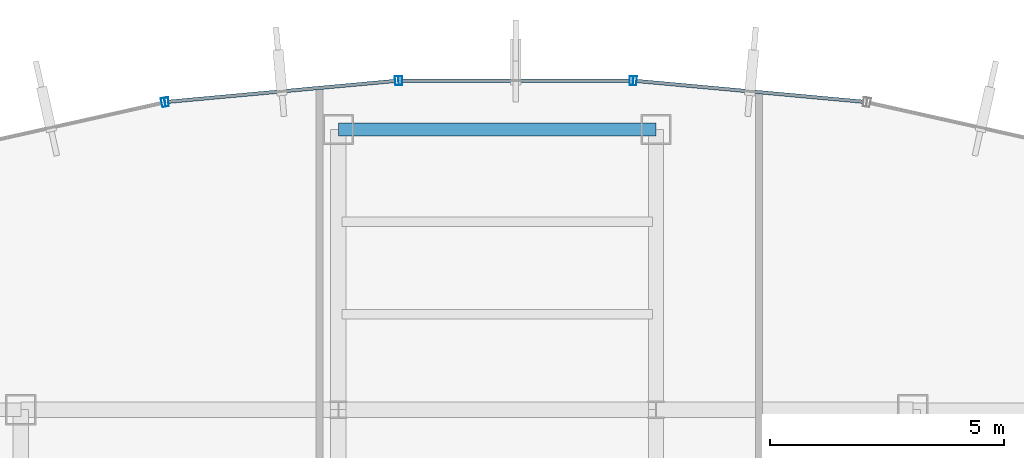
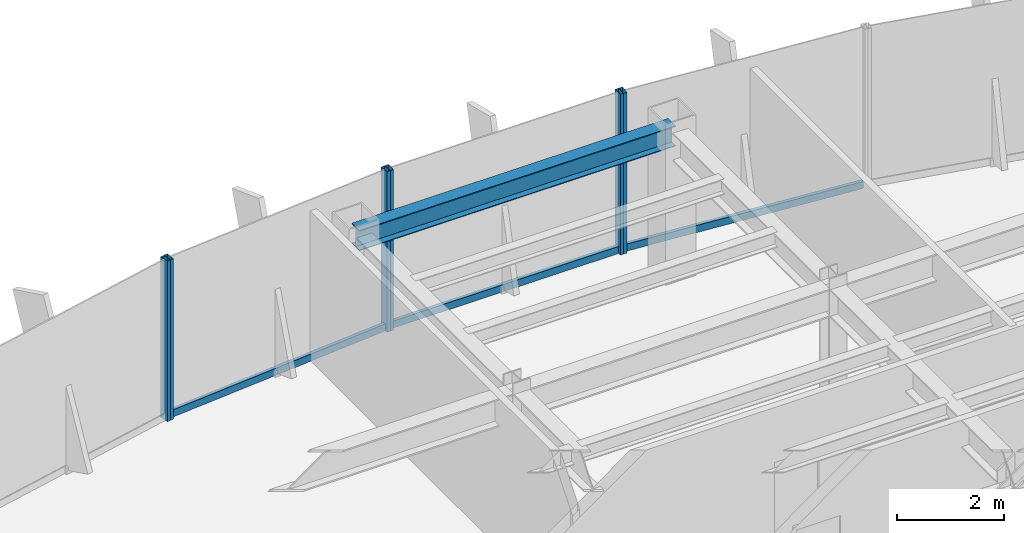
# One storey, part 16 of 25: 9 members, 1 beam, 4 elements without a shape of their own.
"""IFC4 building model written with IfcOpenShell, lengths in metres."""

from ifc_helpers import new_model, si_unit, derived_unit, direction, frame, origin, origin_2d, place, context, subcontext, project, spatial, hollow_rectangle, i_section, extrude, source, transform, mapped, material, material_profile, profile_set, type_object, element, aggregate, save


model = new_model("IFC4")

# Units and contexts
model_context = context("Model", 3, precision=1e-05, world=origin(), true_north=direction((0.0, 1.0)))
body_context = subcontext(model_context, "Body", "Model", "MODEL_VIEW")
ifc_project = project(units=[si_unit("LENGTHUNIT", "METRE"), si_unit("AREAUNIT", "SQUARE_METRE"), si_unit("VOLUMEUNIT", "CUBIC_METRE"), si_unit("PLANEANGLEUNIT", "RADIAN"), si_unit("MASSUNIT", "GRAM", prefix="KILO"), derived_unit("THERMALTRANSMITTANCEUNIT", [(si_unit("POWERUNIT", "WATT"), 1), (si_unit("LENGTHUNIT", "METRE"), -2), (si_unit("THERMODYNAMICTEMPERATUREUNIT", "KELVIN"), -1)])], contexts=[model_context])

# Site, building, storey
site_placement = place(None, origin())
site = spatial("IfcSite", under=ifc_project, at=site_placement, CompositionType="ELEMENT")
building_placement = place(site_placement, origin())
building = spatial("IfcBuilding", under=site, at=building_placement, Name="Skarnbrae Concourse Arena and Tower", CompositionType="ELEMENT")
storey_placement = place(building_placement, frame((0.0, 0.0, 173.449951171875)))
storey = spatial("IfcBuildingStorey", under=building, at=storey_placement, Name="L44", CompositionType="ELEMENT", Elevation=173.449951171875)

# Beam
ifc_material_1 = material(Name="Steel CSA G40.21 350W", Category="steel")
ifc_material_profile_1 = material_profile(ifc_material_1, i_section(OverallWidth=0.280029296875, OverallDepth=0.462890625, WebThickness=0.0107421875, FlangeThickness=0.017333984375, at=origin_2d()), Name="W460X113")
ifc_profile_set_1 = profile_set([ifc_material_profile_1], Name="Steel CSA G40.21 350W")
beam_type = type_object("IfcBeamType", Name="BM-SPAN-W460X113", PredefinedType="SPANDREL", material=ifc_profile_set_1)
shared_shape_1 = source(origin(), body_context, "Body", "SweptSolid", [
    extrude(i_section(OverallWidth=0.280029296875, OverallDepth=0.462890625, WebThickness=0.0107421875, FlangeThickness=0.017333984375, at=origin_2d()), origin(), (0.0, 0.0, 1.0), 6.800048828125),
])
beam_placement = place(storey_placement, frame((21.199951171875, 40.39990234375, 3.16845703125), z_axis=(1.0, 0.0, 0.0), x_axis=(0.0, 1.0, 0.0)))
element("IfcBeam", 1, at=beam_placement, inside=storey, type_object=beam_type, Name="L44 Perimeter spandrel Y40.4-1", PredefinedType="SPANDREL", context=body_context, shape_type="MappedRepresentation", body=[
    mapped(shared_shape_1, transform((0.0, 0.0, 0.0))),
])

# Curtain wall, member
ifc_material_2 = material(Name="Bronze anodised aluminium 6063-T6", Category="aluminium")
curtain_wall_type = type_object("IfcCurtainWallType", Name="CW-SYS-04-MIDZONE", PredefinedType="USERDEFINED", material=ifc_material_2)
curtain_wall_1_placement = place(storey_placement, origin())
curtain_wall_1 = element("IfcCurtainWall", 2, at=curtain_wall_1_placement, inside=storey, type_object=curtain_wall_type, Name="L44 Unitised curtain wall CW-L44-E10", ObjectType="UNITISED CURTAIN WALL", PredefinedType="USERDEFINED")
ifc_material_profile_2 = material_profile(ifc_material_2, hollow_rectangle(XDim=0.074951171875, YDim=0.195068359375, WallThickness=0.00439453125, at=origin_2d()), Name="ALU-MULL-75X195")
ifc_profile_set_2 = profile_set([ifc_material_profile_2], Name="Bronze anodised aluminium 6063-T6")
member_type_1 = type_object("IfcMemberType", Name="CWM-CW-04", PredefinedType="MULLION", material=ifc_profile_set_2)
shared_shape_2 = source(origin(), body_context, "Body", "SweptSolid", [
    extrude(hollow_rectangle(XDim=0.074951171875, YDim=0.195068359375, WallThickness=0.00439453125, at=origin_2d()), origin(), (0.0, 0.0, 1.0), 3.650146484375),
])
member_1_placement = place(storey_placement, frame((27.548583984375, 41.442138671875, 0.0), z_axis=(0.0, 0.0, 1.0), x_axis=(-0.995819926016, 0.091338244731, 0.0)))
member_1 = element("IfcMember", 3, at=member_1_placement, type_object=member_type_1, Name="CW-L44-E10 Mullion 2", PredefinedType="MULLION", context=body_context, shape_type="MappedRepresentation", body=[
    mapped(shared_shape_2, transform((0.0, 0.0, 0.0))),
])

# Curtain wall, members
curtain_wall_2_placement = place(storey_placement, origin())
curtain_wall_2 = element("IfcCurtainWall", 4, at=curtain_wall_2_placement, inside=storey, type_object=curtain_wall_type, Name="L44 Unitised curtain wall CW-L44-E11", ObjectType="UNITISED CURTAIN WALL", PredefinedType="USERDEFINED")
member_2_placement = place(storey_placement, frame((27.473876953125, 41.445556640625, 0.0), z_axis=(0.0, 0.0, 1.0), x_axis=(-1.0, 0.0, 0.0)))
member_2 = element("IfcMember", 5, at=member_2_placement, type_object=member_type_1, Name="CW-L44-E11 Mullion 1", PredefinedType="MULLION", context=body_context, shape_type="MappedRepresentation", body=[
    mapped(shared_shape_2, transform((0.0, 0.0, 0.0))),
])
member_3_placement = place(storey_placement, frame((22.526123046875, 41.445556640625, 0.0), z_axis=(0.0, 0.0, 1.0), x_axis=(-1.0, 0.0, 0.0)))
member_3 = element("IfcMember", 6, at=member_3_placement, type_object=member_type_1, Name="CW-L44-E11 Mullion 2", PredefinedType="MULLION", context=body_context, shape_type="MappedRepresentation", body=[
    mapped(shared_shape_2, transform((0.0, 0.0, 0.0))),
])

curtain_wall_3_placement = place(storey_placement, origin())
curtain_wall_3 = element("IfcCurtainWall", 7, at=curtain_wall_3_placement, inside=storey, type_object=curtain_wall_type, Name="L44 Unitised curtain wall CW-L44-E12", ObjectType="UNITISED CURTAIN WALL", PredefinedType="USERDEFINED")
member_4_placement = place(storey_placement, frame((22.451416015625, 41.442138671875, 0.0), z_axis=(0.0, 0.0, 1.0), x_axis=(-0.995819926016, -0.091338244731, 0.0)))
member_4 = element("IfcMember", 8, at=member_4_placement, type_object=member_type_1, Name="CW-L44-E12 Mullion 1", PredefinedType="MULLION", context=body_context, shape_type="MappedRepresentation", body=[
    mapped(shared_shape_2, transform((0.0, 0.0, 0.0))),
])
member_5_placement = place(storey_placement, frame((17.52490234375, 40.990234375, 0.0), z_axis=(0.0, 0.0, 1.0), x_axis=(-0.995819926016, -0.091338244731, 0.0)))
member_5 = element("IfcMember", 9, at=member_5_placement, type_object=member_type_1, Name="CW-L44-E12 Mullion 2", PredefinedType="MULLION", context=body_context, shape_type="MappedRepresentation", body=[
    mapped(shared_shape_2, transform((0.0, 0.0, 0.0))),
])

# Curtain wall, member
curtain_wall_4_placement = place(storey_placement, origin())
curtain_wall_4 = element("IfcCurtainWall", 10, at=curtain_wall_4_placement, inside=storey, type_object=curtain_wall_type, Name="L44 Unitised curtain wall CW-L44-E13", ObjectType="UNITISED CURTAIN WALL", PredefinedType="USERDEFINED")
member_6_placement = place(storey_placement, frame((17.451171875, 40.978759765625, 0.0), z_axis=(0.0, 0.0, 1.0), x_axis=(-0.975936175393, -0.218056372433, 0.0)))
member_6 = element("IfcMember", 11, at=member_6_placement, type_object=member_type_1, Name="CW-L44-E13 Mullion 1", PredefinedType="MULLION", context=body_context, shape_type="MappedRepresentation", body=[
    mapped(shared_shape_2, transform((0.0, 0.0, 0.0))),
])
aggregate(curtain_wall_4, [member_6])

# Member
ifc_material_profile_3 = material_profile(ifc_material_2, hollow_rectangle(XDim=0.074951171875, YDim=0.159912109375, WallThickness=0.00439453125, at=origin_2d()), Name="ALU-TRAN-75X160")
ifc_profile_set_3 = profile_set([ifc_material_profile_3], Name="Bronze anodised aluminium 6063-T6")
member_type_2 = type_object("IfcMemberType", Name="CWT-CW-04", PredefinedType="USERDEFINED", material=ifc_profile_set_3)
shared_shape_3 = source(origin(), body_context, "Body", "SweptSolid", [
    extrude(hollow_rectangle(XDim=0.074951171875, YDim=0.159912109375, WallThickness=0.00439453125, at=origin_2d()), origin(), (0.0, 0.0, 1.0), 4.871826171875),
])
member_7_placement = place(storey_placement, frame((32.4375, 40.993896484375, 0.080078125), z_axis=(-0.99582308224, 0.091303827287, 0.0), x_axis=(-0.091303827287, -0.99582308224, 0.0)))
member_7 = element("IfcMember", 12, at=member_7_placement, type_object=member_type_2, Name="CW-L44-E10 Transom 1", ObjectType="TRANSOM", PredefinedType="USERDEFINED", context=body_context, shape_type="MappedRepresentation", body=[
    mapped(shared_shape_3, transform((0.0, 0.0, 0.0))),
])

aggregate(curtain_wall_1, [member_1, member_7])

member_8_placement = place(storey_placement, frame((22.4140625, 41.438720703125, 0.080078125), z_axis=(-0.99582308224, -0.091303827287, 0.0), x_axis=(0.091303827287, -0.99582308224, 0.0)))
member_8 = element("IfcMember", 13, at=member_8_placement, type_object=member_type_2, Name="CW-L44-E12 Transom 1", ObjectType="TRANSOM", PredefinedType="USERDEFINED", context=body_context, shape_type="MappedRepresentation", body=[
    mapped(shared_shape_3, transform((0.0, 0.0, 0.0))),
])

aggregate(curtain_wall_3, [member_4, member_5, member_8])

shared_shape_4 = source(origin(), body_context, "Body", "SweptSolid", [
    extrude(hollow_rectangle(XDim=0.074951171875, YDim=0.159912109375, WallThickness=0.00439453125, at=origin_2d()), origin(), (0.0, 0.0, 1.0), 4.87255859375),
])
member_9_placement = place(storey_placement, frame((27.436279296875, 41.445556640625, 0.080078125), z_axis=(-1.0, 0.0, 0.0), x_axis=(0.0, -1.0, 0.0)))
member_9 = element("IfcMember", 14, at=member_9_placement, type_object=member_type_2, Name="CW-L44-E11 Transom 1", ObjectType="TRANSOM", PredefinedType="USERDEFINED", context=body_context, shape_type="MappedRepresentation", body=[
    mapped(shared_shape_4, transform((0.0, 0.0, 0.0))),
])

aggregate(curtain_wall_2, [member_2, member_3, member_9])

save(model, "model.ifc")
